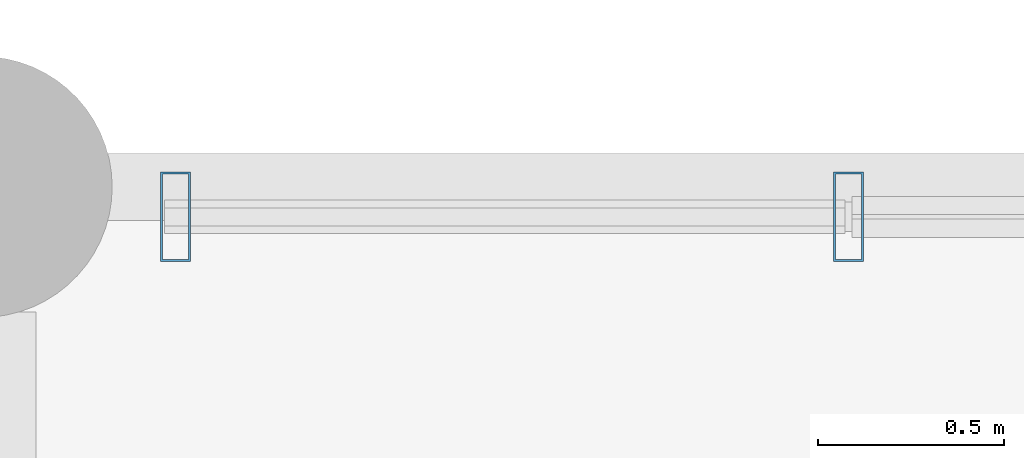
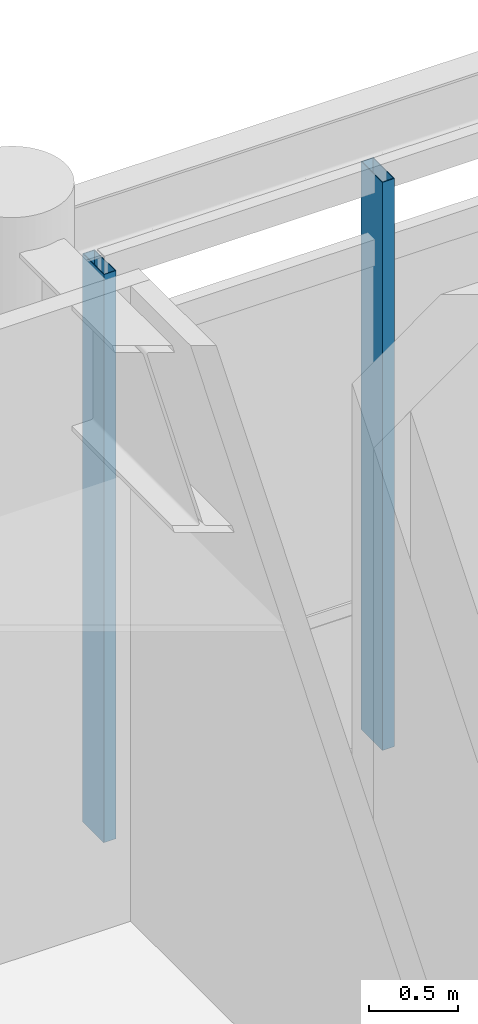
# One storey, part 92 of 168: 2 members, 1 element without a shape of its own.
"""IFC4 building model written with IfcOpenShell, lengths in metres."""

import ifcopenshell
import ifcopenshell.guid

model = None  # the IFC model being written
_history = None  # IfcOwnerHistory: only IFC2X3 demands one
_inside = {}  # id of a spatial element -> (the spatial element, [elements in it])
_under = {}  # id of a project, library or spatial element -> (it, [spatial elements below it])
_declared = {}  # id of a project -> (the project, [libraries it declares])
_typed = {}  # id of a type object -> (the type object, [elements of that type])
_made_of = {}  # id of a material, layer set ... -> (it, [elements and type objects made of it])


def new_model(schema):
    """Start an empty IFC model of exactly this schema.

    Asked for "IFC4X3", IfcOpenShell would pick the latest addendum, in which some entities
    have other attributes; the version numbers below select the first issue.
    IFC2X3 requires an IfcOwnerHistory on every rooted entity: one is made here for all.
    """
    global model, _history
    if schema == "IFC4X3":
        model = ifcopenshell.file(schema_version=(4, 3, 0, 0))
    else:
        model = ifcopenshell.file(schema=schema)
    _inside.clear()
    _under.clear()
    _declared.clear()
    _typed.clear()
    _made_of.clear()
    _history = None
    if model.schema == "IFC2X3":
        org = make("IfcOrganization", Name="unknown")
        user = make(
            "IfcPersonAndOrganization",
            ThePerson=make("IfcPerson", FamilyName="unknown"),
            TheOrganization=org,
        )
        app = make(
            "IfcApplication",
            ApplicationDeveloper=org,
            Version="unknown",
            ApplicationFullName="unknown",
            ApplicationIdentifier="unknown",
        )
        _history = make(
            "IfcOwnerHistory",
            OwningUser=user,
            OwningApplication=app,
            ChangeAction="ADDED",
            CreationDate=0,
        )
    return model


def make(cls, **values):
    """One entity of the class cls with the attributes given. An attribute that is None is left unset."""
    return model.create_entity(
        cls, **{name: value for name, value in values.items() if value is not None}
    )


def rooted(cls, **values):
    """An entity with a GlobalId (a new one), such as an element, a storey or a relation."""
    return make(cls, GlobalId=ifcopenshell.guid.new(), OwnerHistory=_history, **values)


def si_unit(unit_type, name, prefix=None):
    """IfcSIUnit, for example si_unit("LENGTHUNIT", "METRE", prefix="MILLI")."""
    return make("IfcSIUnit", UnitType=unit_type, Prefix=prefix, Name=name)


def assignment(units):
    """IfcUnitAssignment: the units of a project."""
    return None if units is None else make("IfcUnitAssignment", Units=units)


def point(xyz):
    """IfcCartesianPoint."""
    return None if xyz is None else make("IfcCartesianPoint", Coordinates=xyz)


def direction(xyz):
    """IfcDirection."""
    return None if xyz is None else make("IfcDirection", DirectionRatios=xyz)


def frame(location, z_axis=None, x_axis=None):
    """IfcAxis2Placement3D, a coordinate frame: its origin and axes. An axis left out is left unset."""
    return make(
        "IfcAxis2Placement3D",
        Location=point(location),
        Axis=direction(z_axis),
        RefDirection=direction(x_axis),
    )


def frame_2d(location, x_axis=None):
    """IfcAxis2Placement2D, a coordinate frame in the plane: its origin and x axis."""
    return make(
        "IfcAxis2Placement2D", Location=point(location), RefDirection=direction(x_axis)
    )


def origin():
    """The frame at (0, 0, 0) with its axes left unset."""
    return frame((0.0, 0.0, 0.0))


def origin_2d():
    """The frame at (0, 0) in the plane with its x axis left unset."""
    return frame_2d((0.0, 0.0))


def place(relative_to, where):
    """IfcLocalPlacement: puts the frame where relative to a parent placement (None: the world)."""
    return make(
        "IfcLocalPlacement", PlacementRelTo=relative_to, RelativePlacement=where
    )


def context(
    kind, dimensions, precision=None, world=None, true_north=None, identifier=None
):
    """IfcGeometricRepresentationContext, for example the 3D "Model" context."""
    return make(
        "IfcGeometricRepresentationContext",
        ContextIdentifier=identifier,
        ContextType=kind,
        CoordinateSpaceDimension=dimensions,
        Precision=precision,
        WorldCoordinateSystem=world,
        TrueNorth=true_north,
    )


def subcontext(parent, identifier, kind, view, scale=None):
    """IfcGeometricRepresentationSubContext, for example "Body" below "Model"."""
    return make(
        "IfcGeometricRepresentationSubContext",
        ContextIdentifier=identifier,
        ContextType=kind,
        ParentContext=parent,
        TargetScale=scale,
        TargetView=view,
    )


def project(units=None, contexts=None):
    """IfcProject with its units and contexts."""
    return rooted(
        "IfcProject",
        Name="project",
        RepresentationContexts=contexts,
        UnitsInContext=assignment(units),
    )


def spatial(cls, under=None, at=None, **own):
    """A site, building, storey or space (cls), placed at a placement, below another one or the project."""
    s = rooted(cls, ObjectPlacement=at, **own)
    if under is not None:
        _under.setdefault(under.id(), (under, []))[1].append(s)
    return s


def profile(cls, at=None, kind="AREA", **sizes):
    """A parametric profile (cls). Its sizes go by their IFC names, for example OverallWidth=200.0."""
    return make(cls, ProfileType=kind, Position=at, **sizes)


def hollow_rectangle(**sizes):
    """IfcRectangleHollowProfileDef."""
    return profile("IfcRectangleHollowProfileDef", **sizes)


def extrude(swept, where, along, depth):
    """IfcExtrudedAreaSolid: the profile swept, set in the frame where, extruded along a direction by depth."""
    return make(
        "IfcExtrudedAreaSolid",
        SweptArea=swept,
        Position=where,
        ExtrudedDirection=direction(along),
        Depth=depth,
    )


def shape(context_of_items, identifier, shape_type, items):
    """IfcShapeRepresentation: the items that make up one representation, for example the "Body"."""
    return make(
        "IfcShapeRepresentation",
        ContextOfItems=context_of_items,
        RepresentationIdentifier=identifier,
        RepresentationType=shape_type,
        Items=items,
    )


def material(Name=None, Category=None):
    """IfcMaterial."""
    return make("IfcMaterial", Name=Name, Category=Category)


def material_profile(
    of_material, cross_section, Name=None, Category=None, Priority=None
):
    """IfcMaterialProfile: a cross section and its material."""
    return make(
        "IfcMaterialProfile",
        Name=Name,
        Material=of_material,
        Profile=cross_section,
        Priority=Priority,
        Category=Category,
    )


def profile_set(profiles, Name=None, composite=None):
    """IfcMaterialProfileSet."""
    return make(
        "IfcMaterialProfileSet",
        Name=Name,
        MaterialProfiles=profiles,
        CompositeProfile=composite,
    )


def made_of(thing, what):
    """Note that an element or type object is made of a material, layer set ...; save() writes the relation."""
    if what is not None:
        _made_of.setdefault(what.id(), (what, []))[1].append(thing)
    return thing


def type_object(cls, material=None, **own):
    """A type object (cls), such as IfcWallType, which elements share."""
    return made_of(rooted(cls, **own), material)


def element(
    cls,
    number,
    at=None,
    inside=None,
    cuts=None,
    type_object=None,
    material=None,
    context=None,
    identifier="Body",
    shape_type=None,
    held_by="IfcProductDefinitionShape",
    body=None,
    shapes=None,
    **own,
):
    """One element of the class cls, such as IfcWall. Its Tag is "e" and its number.

    at: its placement. inside: the storey or other place that contains it. cuts: it is an
    opening in that element (IfcRelVoidsElement). A single representation is given by context,
    identifier, shape_type and body (its items); several are given by shapes. held_by: the class
    of the entity that holds the representations. save() writes the other relations.
    """
    e = rooted(cls, Tag="e%d" % number, ObjectPlacement=at, **own)
    if body is not None:
        shapes = [shape(context, identifier, shape_type, body)]
    if shapes is not None:
        e.Representation = make(held_by, Representations=shapes)
    if inside is not None:
        _inside.setdefault(inside.id(), (inside, []))[1].append(e)
    if cuts is not None:
        rooted(
            "IfcRelVoidsElement", RelatingBuildingElement=cuts, RelatedOpeningElement=e
        )
    if type_object is not None:
        _typed.setdefault(type_object.id(), (type_object, []))[1].append(e)
    return made_of(e, material)


def aggregate(whole, parts):
    """IfcRelAggregates: a whole, such as a stair, and the parts it consists of."""
    return rooted("IfcRelAggregates", RelatingObject=whole, RelatedObjects=parts)


def save(model, path):
    """Write the relations noted so far, then the file.

    IfcRelAggregates (storeys below a building ...), IfcRelContainedInSpatialStructure (elements
    in a storey), IfcRelDefinesByType, IfcRelAssociatesMaterial and IfcRelDeclares: one each for
    every whole, place, type object, material and project.
    """
    for whole, parts in _under.values():
        aggregate(whole, parts)
    for where, things in _inside.values():
        rooted(
            "IfcRelContainedInSpatialStructure",
            RelatedElements=things,
            RelatingStructure=where,
        )
    for kind, things in _typed.values():
        rooted("IfcRelDefinesByType", RelatedObjects=things, RelatingType=kind)
    for what, things in _made_of.values():
        rooted("IfcRelAssociatesMaterial", RelatedObjects=things, RelatingMaterial=what)
    for by, libraries in _declared.values():
        rooted("IfcRelDeclares", RelatingContext=by, RelatedDefinitions=libraries)
    model.write(path)


model = new_model("IFC4")

# Units and contexts
model_context = context("Model", 3, precision=1e-05, world=origin(), true_north=direction((0.0, 1.0)))
body_context = subcontext(model_context, "Body", "Model", "MODEL_VIEW")
ifc_project = project(units=[si_unit("LENGTHUNIT", "METRE"), si_unit("AREAUNIT", "SQUARE_METRE"), si_unit("VOLUMEUNIT", "CUBIC_METRE"), si_unit("PLANEANGLEUNIT", "RADIAN"), si_unit("MASSUNIT", "GRAM", prefix="KILO"), si_unit("THERMODYNAMICTEMPERATUREUNIT", "KELVIN"), si_unit("POWERUNIT", "WATT")], contexts=[model_context])

# Site, building, storey
site_placement = place(None, origin())
site = spatial("IfcSite", under=ifc_project, at=site_placement, CompositionType="ELEMENT")
building_placement = place(site_placement, origin())
building = spatial("IfcBuilding", under=site, at=building_placement, Name="Tepalcoro Natatorium and Aquatics Centre", CompositionType="ELEMENT")
storey_placement = place(building_placement, frame((0.0, 0.0, 10.199951171875)))
storey = spatial("IfcBuildingStorey", under=building, at=storey_placement, Name="L02", CompositionType="ELEMENT", Elevation=10.199951171875)

# Curtain wall, members
ifc_material = material(Name="Bronze-Anodised Extruded Aluminium Alloy EN AW-6063 T6", Category="aluminium")
curtain_wall_type = type_object("IfcCurtainWallType", Name="CW_LEAN_T2_EW", PredefinedType="USERDEFINED", material=ifc_material)
curtain_wall_placement = place(storey_placement, origin())
curtain_wall = element("IfcCurtainWall", 1, at=curtain_wall_placement, inside=storey, type_object=curtain_wall_type, Name="V5 L02 N Unitised Curtain Wall Bay 4", ObjectType="FACETED SOLAR GLAZING", PredefinedType="USERDEFINED")
ifc_material_profile = material_profile(ifc_material, hollow_rectangle(XDim=0.080078125, YDim=0.239990234375, WallThickness=0.0048828125, at=origin_2d()), Name="AL80X240X5")
ifc_profile_set = profile_set([ifc_material_profile], Name="Bronze-Anodised Extruded Aluminium Alloy EN AW-6063 T6")
member_type = type_object("IfcMemberType", Name="CW_MUL_80x240", PredefinedType="MULLION", material=ifc_profile_set)
member_1_placement = place(storey_placement, frame((125.52001953125, 117.919921875, 0.02001953125), z_axis=(0.0, 0.0, 1.0), x_axis=(1.0, 0.0, 0.0)))
member_1 = element("IfcMember", 2, at=member_1_placement, type_object=member_type, Name="CW_LEAN_T2_EW Curtain Wall Mullion", PredefinedType="MULLION", context=body_context, shape_type="SweptSolid", body=[
    extrude(hollow_rectangle(XDim=0.080078125, YDim=0.239990234375, WallThickness=0.0048828125, at=origin_2d()), origin(), (0.0, 0.0, 1.0), 3.89697265625),
])
member_2_placement = place(storey_placement, frame((127.32666015625, 117.919921875, 0.02001953125), z_axis=(0.0, 0.0, 1.0), x_axis=(1.0, 0.0, 0.0)))
member_2 = element("IfcMember", 3, at=member_2_placement, type_object=member_type, Name="CW_LEAN_T2_EW Curtain Wall Mullion", PredefinedType="MULLION", context=body_context, shape_type="SweptSolid", body=[
    extrude(hollow_rectangle(XDim=0.080078125, YDim=0.239990234375, WallThickness=0.0048828125, at=origin_2d()), origin(), (0.0, 0.0, 1.0), 3.89697265625),
])
aggregate(curtain_wall, [member_1, member_2])

save(model, "model.ifc")
